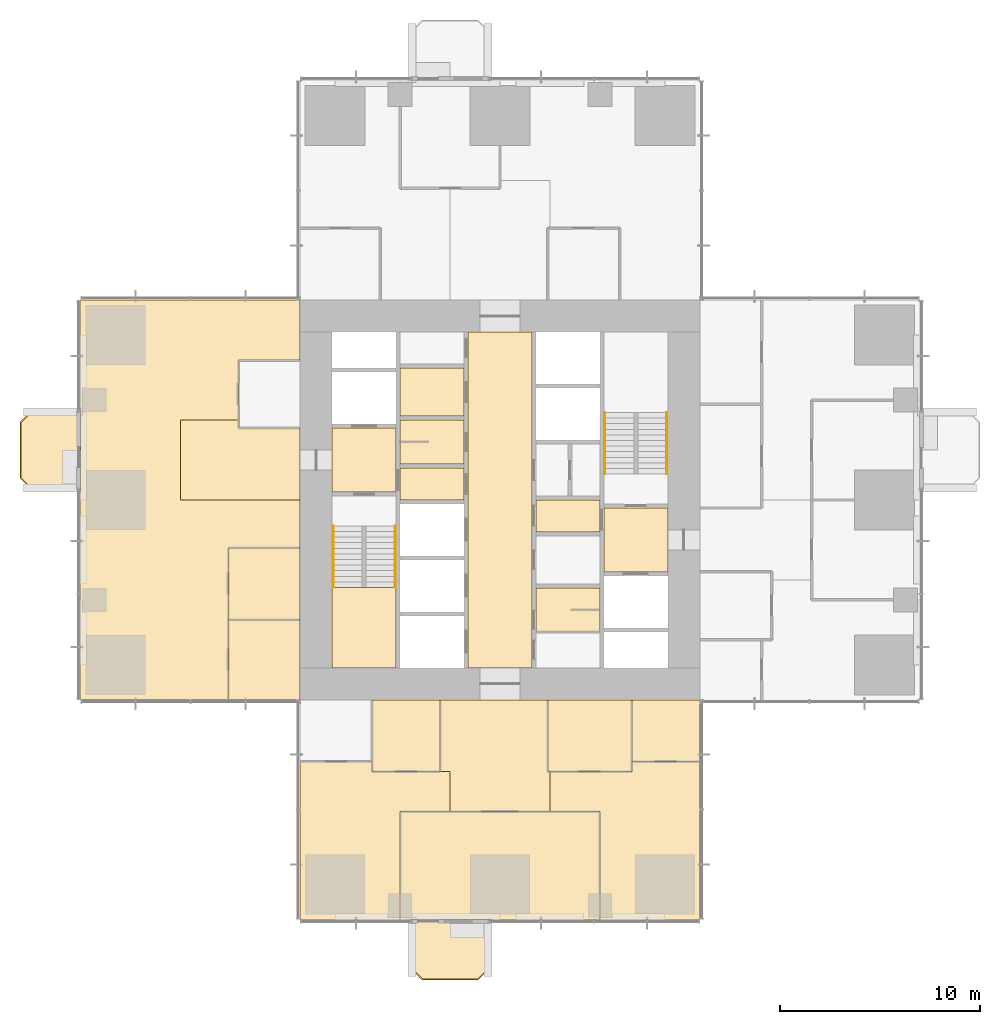
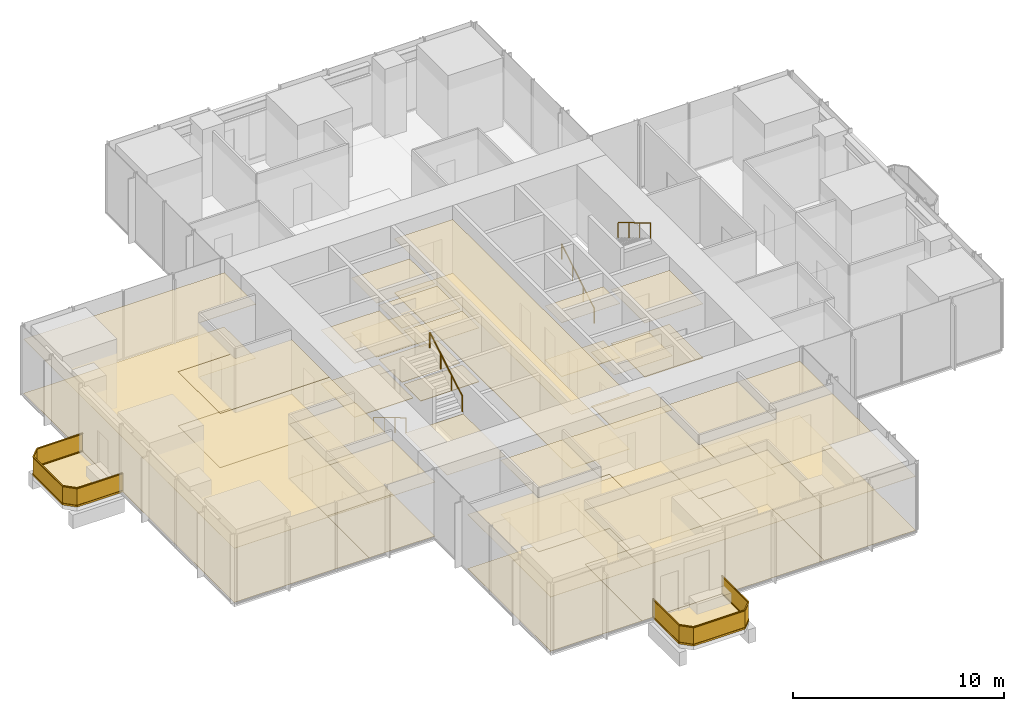
# One storey, part 11 of 13: 41 coverings, 6 railings.
"""IFC4 building model written with IfcOpenShell, lengths in metres."""

from ifc_helpers import new_model, si_unit, direction, frame, origin, origin_2d, place, context, subcontext, project, spatial, polyline, rectangle, circle, outline, extrude, material, layer, layer_set, type_object, element, save


model = new_model("IFC4")

# Units and contexts
model_context = context("Model", 3, precision=1e-05, world=origin(), true_north=direction((0.0, 1.0)))
body_context = subcontext(model_context, "Body", "Model", "MODEL_VIEW")
ifc_project = project(units=[si_unit("LENGTHUNIT", "METRE"), si_unit("AREAUNIT", "SQUARE_METRE"), si_unit("VOLUMEUNIT", "CUBIC_METRE"), si_unit("PLANEANGLEUNIT", "RADIAN"), si_unit("MASSUNIT", "GRAM", prefix="KILO")], contexts=[model_context])

# Site, building, storey
site_placement = place(None, origin())
site = spatial("IfcSite", under=ifc_project, at=site_placement, CompositionType="ELEMENT")
building_placement = place(site_placement, origin())
building = spatial("IfcBuilding", under=site, at=building_placement, Name="Svetlomir Tower", CompositionType="ELEMENT")
storey_placement = place(building_placement, frame((0.0, 0.0, 100.5)))
storey = spatial("IfcBuildingStorey", under=building, at=storey_placement, Name="L23", CompositionType="ELEMENT", Elevation=100.5)

# Railings
ifc_material_1 = material(Name="Bronze anodised aluminium and laminated glass", Category="aluminium")
railing_type_1 = type_object("IfcRailingType", Name="BALCONY GUARD GR1 1100", PredefinedType="GUARDRAIL", material=ifc_material_1)
railing_1_placement = place(storey_placement, frame((16.60009765625, 0.0, 0.0)))
element("IfcRailing", 1, at=railing_1_placement, inside=storey, type_object=railing_type_1, Name="Balcony guard S L23", PredefinedType="GUARDRAIL", context=body_context, shape_type="SweptSolid", body=[
    extrude(rectangle(XDim=0.06005859375, YDim=0.10009765625, at=origin_2d()), frame((0.0, 0.0, 0.050048828125), z_axis=(0.0, -1.0, 0.0), x_axis=(1.0, 0.0, 0.0)), (0.0, 0.0, 1.0), 2.5),
    extrude(rectangle(XDim=0.021484375, YDim=0.960205078125, at=origin_2d()), frame((0.0, 0.0, 0.580078125), z_axis=(0.0, -1.0, 0.0), x_axis=(1.0, 0.0, 0.0)), (0.0, 0.0, 1.0), 2.5),
    extrude(rectangle(XDim=0.06005859375, YDim=0.0400390625, at=origin_2d()), frame((0.0, 0.0, 1.080078125), z_axis=(0.0, -1.0, 0.0), x_axis=(1.0, 0.0, 0.0)), (0.0, 0.0, 1.0), 2.5),
    extrude(rectangle(XDim=0.06005859375, YDim=0.10009765625, at=origin_2d()), frame((0.0, -2.5, 0.050048828125), z_axis=(0.707106781187, -0.707106781187, 0.0), x_axis=(0.707106781187, 0.707106781187, 0.0)), (0.0, 0.0, 1.0), 0.70703125),
    extrude(rectangle(XDim=0.021484375, YDim=0.960205078125, at=origin_2d()), frame((0.0, -2.5, 0.580078125), z_axis=(0.707106781187, -0.707106781187, 0.0), x_axis=(0.707106781187, 0.707106781187, 0.0)), (0.0, 0.0, 1.0), 0.70703125),
    extrude(rectangle(XDim=0.06005859375, YDim=0.0400390625, at=origin_2d()), frame((0.0, -2.5, 1.080078125), z_axis=(0.707106781187, -0.707106781187, 0.0), x_axis=(0.707106781187, 0.707106781187, 0.0)), (0.0, 0.0, 1.0), 0.70703125),
    extrude(rectangle(XDim=0.06005859375, YDim=0.10009765625, at=origin_2d()), frame((0.5, -3.0, 0.050048828125), z_axis=(1.0, 0.0, 0.0), x_axis=(0.0, 1.0, 0.0)), (0.0, 0.0, 1.0), 2.7998046875),
    extrude(rectangle(XDim=0.021484375, YDim=0.960205078125, at=origin_2d()), frame((0.5, -3.0, 0.580078125), z_axis=(1.0, 0.0, 0.0), x_axis=(0.0, 1.0, 0.0)), (0.0, 0.0, 1.0), 2.7998046875),
    extrude(rectangle(XDim=0.06005859375, YDim=0.0400390625, at=origin_2d()), frame((0.5, -3.0, 1.080078125), z_axis=(1.0, 0.0, 0.0), x_axis=(0.0, 1.0, 0.0)), (0.0, 0.0, 1.0), 2.7998046875),
    extrude(rectangle(XDim=0.06005859375, YDim=0.10009765625, at=origin_2d()), frame((3.2998046875, -3.0, 0.050048828125), z_axis=(0.707106781187, 0.707106781187, 0.0), x_axis=(-0.707106781187, 0.707106781187, 0.0)), (0.0, 0.0, 1.0), 0.70703125),
    extrude(rectangle(XDim=0.021484375, YDim=0.960205078125, at=origin_2d()), frame((3.2998046875, -3.0, 0.580078125), z_axis=(0.707106781187, 0.707106781187, 0.0), x_axis=(-0.707106781187, 0.707106781187, 0.0)), (0.0, 0.0, 1.0), 0.70703125),
    extrude(rectangle(XDim=0.06005859375, YDim=0.0400390625, at=origin_2d()), frame((3.2998046875, -3.0, 1.080078125), z_axis=(0.707106781187, 0.707106781187, 0.0), x_axis=(-0.707106781187, 0.707106781187, 0.0)), (0.0, 0.0, 1.0), 0.70703125),
    extrude(rectangle(XDim=0.06005859375, YDim=0.10009765625, at=origin_2d()), frame((3.7998046875, -2.5, 0.050048828125), z_axis=(0.0, 1.0, 0.0), x_axis=(-1.0, 0.0, 0.0)), (0.0, 0.0, 1.0), 2.5),
    extrude(rectangle(XDim=0.021484375, YDim=0.960205078125, at=origin_2d()), frame((3.7998046875, -2.5, 0.580078125), z_axis=(0.0, 1.0, 0.0), x_axis=(-1.0, 0.0, 0.0)), (0.0, 0.0, 1.0), 2.5),
    extrude(rectangle(XDim=0.06005859375, YDim=0.0400390625, at=origin_2d()), frame((3.7998046875, -2.5, 1.080078125), z_axis=(0.0, 1.0, 0.0), x_axis=(-1.0, 0.0, 0.0)), (0.0, 0.0, 1.0), 2.5),
])
railing_2_placement = place(storey_placement, frame((0.0, 25.39990234375, 0.0)))
element("IfcRailing", 2, at=railing_2_placement, inside=storey, type_object=railing_type_1, Name="Balcony guard W L23", PredefinedType="GUARDRAIL", context=body_context, shape_type="SweptSolid", body=[
    extrude(rectangle(XDim=0.06005859375, YDim=0.10009765625, at=origin_2d()), frame((0.0, 0.0, 0.050048828125), z_axis=(-1.0, 0.0, 0.0), x_axis=(0.0, -1.0, 0.0)), (0.0, 0.0, 1.0), 2.5),
    extrude(rectangle(XDim=0.021484375, YDim=0.960205078125, at=origin_2d()), frame((0.0, 0.0, 0.580078125), z_axis=(-1.0, 0.0, 0.0), x_axis=(0.0, -1.0, 0.0)), (0.0, 0.0, 1.0), 2.5),
    extrude(rectangle(XDim=0.06005859375, YDim=0.0400390625, at=origin_2d()), frame((0.0, 0.0, 1.080078125), z_axis=(-1.0, 0.0, 0.0), x_axis=(0.0, -1.0, 0.0)), (0.0, 0.0, 1.0), 2.5),
    extrude(rectangle(XDim=0.06005859375, YDim=0.10009765625, at=origin_2d()), frame((-2.5, 0.0, 0.050048828125), z_axis=(-0.707106781187, -0.707106781187, 0.0), x_axis=(0.707106781187, -0.707106781187, 0.0)), (0.0, 0.0, 1.0), 0.70703125),
    extrude(rectangle(XDim=0.021484375, YDim=0.960205078125, at=origin_2d()), frame((-2.5, 0.0, 0.580078125), z_axis=(-0.707106781187, -0.707106781187, 0.0), x_axis=(0.707106781187, -0.707106781187, 0.0)), (0.0, 0.0, 1.0), 0.70703125),
    extrude(rectangle(XDim=0.06005859375, YDim=0.0400390625, at=origin_2d()), frame((-2.5, 0.0, 1.080078125), z_axis=(-0.707106781187, -0.707106781187, 0.0), x_axis=(0.707106781187, -0.707106781187, 0.0)), (0.0, 0.0, 1.0), 0.70703125),
    extrude(rectangle(XDim=0.06005859375, YDim=0.10009765625, at=origin_2d()), frame((-3.0, -0.5, 0.050048828125), z_axis=(0.0, -1.0, 0.0), x_axis=(1.0, 0.0, 0.0)), (0.0, 0.0, 1.0), 2.7998046875),
    extrude(rectangle(XDim=0.021484375, YDim=0.960205078125, at=origin_2d()), frame((-3.0, -0.5, 0.580078125), z_axis=(0.0, -1.0, 0.0), x_axis=(1.0, 0.0, 0.0)), (0.0, 0.0, 1.0), 2.7998046875),
    extrude(rectangle(XDim=0.06005859375, YDim=0.0400390625, at=origin_2d()), frame((-3.0, -0.5, 1.080078125), z_axis=(0.0, -1.0, 0.0), x_axis=(1.0, 0.0, 0.0)), (0.0, 0.0, 1.0), 2.7998046875),
    extrude(rectangle(XDim=0.06005859375, YDim=0.10009765625, at=origin_2d()), frame((-3.0, -3.2998046875, 0.050048828125), z_axis=(0.707106781187, -0.707106781187, 0.0), x_axis=(0.707106781187, 0.707106781187, 0.0)), (0.0, 0.0, 1.0), 0.70703125),
    extrude(rectangle(XDim=0.021484375, YDim=0.960205078125, at=origin_2d()), frame((-3.0, -3.2998046875, 0.580078125), z_axis=(0.707106781187, -0.707106781187, 0.0), x_axis=(0.707106781187, 0.707106781187, 0.0)), (0.0, 0.0, 1.0), 0.70703125),
    extrude(rectangle(XDim=0.06005859375, YDim=0.0400390625, at=origin_2d()), frame((-3.0, -3.2998046875, 1.080078125), z_axis=(0.707106781187, -0.707106781187, 0.0), x_axis=(0.707106781187, 0.707106781187, 0.0)), (0.0, 0.0, 1.0), 0.70703125),
    extrude(rectangle(XDim=0.06005859375, YDim=0.10009765625, at=origin_2d()), frame((-2.5, -3.7998046875, 0.050048828125), z_axis=(1.0, 0.0, 0.0), x_axis=(0.0, 1.0, 0.0)), (0.0, 0.0, 1.0), 2.5),
    extrude(rectangle(XDim=0.021484375, YDim=0.960205078125, at=origin_2d()), frame((-2.5, -3.7998046875, 0.580078125), z_axis=(1.0, 0.0, 0.0), x_axis=(0.0, 1.0, 0.0)), (0.0, 0.0, 1.0), 2.5),
    extrude(rectangle(XDim=0.06005859375, YDim=0.0400390625, at=origin_2d()), frame((-2.5, -3.7998046875, 1.080078125), z_axis=(1.0, 0.0, 0.0), x_axis=(0.0, 1.0, 0.0)), (0.0, 0.0, 1.0), 2.5),
])

# Coverings
ifc_material_2 = material(Name="Granite paving slabs on pedestals", Category="masonry")
ifc_layer_1 = layer(ifc_material_2, 0.0400390625)
ifc_layer_set_1 = layer_set([ifc_layer_1], Name="Granite paving slabs on pedestals")
covering_type_1 = type_object("IfcCoveringType", Name="BALCONY PAVING 40", PredefinedType="USERDEFINED", material=ifc_layer_set_1)
covering_1_placement = place(storey_placement, origin())
element("IfcCovering", 3, at=covering_1_placement, inside=storey, type_object=covering_type_1, Name="Balcony paving S L23", ObjectType="BALCONY PAVING", PredefinedType="USERDEFINED", context=body_context, shape_type="SweptSolid", body=[
    extrude(outline(polyline([(16.60009765625, -2.5), (17.10009765625, -3.0), (19.89990234375, -3.0), (20.39990234375, -2.5), (20.39990234375, 0.0), (16.60009765625, 0.0), (16.60009765625, -2.5)])), origin(), (0.0, 0.0, 1.0), 0.0400390625),
])
covering_2_placement = place(storey_placement, origin())
element("IfcCovering", 4, at=covering_2_placement, inside=storey, type_object=covering_type_1, Name="Balcony paving W L23", ObjectType="BALCONY PAVING", PredefinedType="USERDEFINED", context=body_context, shape_type="SweptSolid", body=[
    extrude(outline(polyline([(-2.5, 21.60009765625), (0.0, 21.60009765625), (0.0, 25.39990234375), (-2.5, 25.39990234375), (-3.0, 24.89990234375), (-3.0, 22.10009765625), (-2.5, 21.60009765625)])), origin(), (0.0, 0.0, 1.0), 0.0400390625),
])
ifc_material_3 = material(Name="Carpet tile", Category="textile")
ifc_layer_2 = layer(ifc_material_3, 0.010009765625)
ifc_layer_set_2 = layer_set([ifc_layer_2], Name="Carpet tile")
covering_type_2 = type_object("IfcCoveringType", Name="CARPET TILE FLOOR 10", PredefinedType="FLOORING", material=ifc_layer_set_2)
covering_3_placement = place(storey_placement, origin())
element("IfcCovering", 5, at=covering_3_placement, inside=storey, type_object=covering_type_2, Name="Floor finish L23-17", PredefinedType="FLOORING", context=body_context, shape_type="SweptSolid", body=[
    extrude(outline(polyline([(14.60009765625, 7.39990234375), (18.0, 7.39990234375), (18.0, 11.0), (14.60009765625, 11.0), (14.60009765625, 7.39990234375)])), origin(), (0.0, 0.0, 1.0), 0.010009765625),
])
covering_4_placement = place(storey_placement, origin())
element("IfcCovering", 6, at=covering_4_placement, inside=storey, type_object=covering_type_2, Name="Floor finish L23-18", PredefinedType="FLOORING", context=body_context, shape_type="SweptSolid", body=[
    extrude(outline(polyline([(23.39990234375, 7.39990234375), (27.60009765625, 7.39990234375), (27.60009765625, 11.0), (23.39990234375, 11.0), (23.39990234375, 7.39990234375)])), origin(), (0.0, 0.0, 1.0), 0.010009765625),
])
covering_5_placement = place(storey_placement, origin())
element("IfcCovering", 7, at=covering_5_placement, inside=storey, type_object=covering_type_2, Name="Floor finish L23-19", PredefinedType="FLOORING", context=body_context, shape_type="SweptSolid", body=[
    extrude(outline(polyline([(27.60009765625, 7.89990234375), (31.0, 7.89990234375), (31.0, 11.0), (27.60009765625, 11.0), (27.60009765625, 7.89990234375)])), origin(), (0.0, 0.0, 1.0), 0.010009765625),
])
covering_6_placement = place(storey_placement, origin())
element("IfcCovering", 8, at=covering_6_placement, inside=storey, type_object=covering_type_2, Name="Floor finish L23-20", PredefinedType="FLOORING", context=body_context, shape_type="SweptSolid", body=[
    extrude(outline(polyline([(16.0, 0.0), (26.0, 0.0), (26.0, 5.39990234375), (16.0, 5.39990234375), (16.0, 0.0)])), origin(), (0.0, 0.0, 1.0), 0.010009765625),
])
covering_7_placement = place(storey_placement, origin())
element("IfcCovering", 9, at=covering_7_placement, inside=storey, type_object=covering_type_2, Name="Floor finish L23-30", PredefinedType="FLOORING", context=body_context, shape_type="SweptSolid", body=[
    extrude(outline(polyline([(7.39990234375, 11.0), (11.0, 11.0), (11.0, 15.0), (7.39990234375, 15.0), (7.39990234375, 11.0)])), origin(), (0.0, 0.0, 1.0), 0.010009765625),
])
covering_8_placement = place(storey_placement, origin())
element("IfcCovering", 10, at=covering_8_placement, inside=storey, type_object=covering_type_2, Name="Floor finish L23-31", PredefinedType="FLOORING", context=body_context, shape_type="SweptSolid", body=[
    extrude(outline(polyline([(7.39990234375, 15.0), (11.0, 15.0), (11.0, 18.60009765625), (7.39990234375, 18.60009765625), (7.39990234375, 15.0)])), origin(), (0.0, 0.0, 1.0), 0.010009765625),
])
covering_9_placement = place(storey_placement, origin())
element("IfcCovering", 11, at=covering_9_placement, inside=storey, type_object=covering_type_2, Name="Floor finish L23-33", PredefinedType="FLOORING", context=body_context, shape_type="SweptSolid", body=[
    extrude(outline(polyline([(23.5, 7.39990234375), (23.5, 5.39990234375), (18.5, 5.39990234375), (18.5, 7.39990234375), (18.0, 7.39990234375), (18.0, 11.0), (23.39990234375, 11.0), (23.39990234375, 7.39990234375), (23.5, 7.39990234375)])), origin(), (0.0, 0.0, 1.0), 0.010009765625),
])
covering_10_placement = place(storey_placement, origin())
element("IfcCovering", 12, at=covering_10_placement, inside=storey, type_object=covering_type_2, Name="Floor finish L23-35", PredefinedType="FLOORING", context=body_context, shape_type="SweptSolid", body=[
    extrude(outline(polyline([(5.0, 21.0), (5.0, 25.0), (7.89990234375, 25.0), (7.89990234375, 24.60009765625), (11.0, 24.60009765625), (11.0, 21.0), (5.0, 21.0)])), origin(), (0.0, 0.0, 1.0), 0.010009765625),
])
covering_11_placement = place(storey_placement, origin())
element("IfcCovering", 13, at=covering_11_placement, inside=storey, type_object=covering_type_2, Name="Floor finish L23-37", PredefinedType="FLOORING", context=body_context, shape_type="SweptSolid", body=[
    extrude(outline(polyline([(14.60009765625, 7.89990234375), (14.60009765625, 7.39990234375), (18.5, 7.39990234375), (18.5, 5.39990234375), (16.0, 5.39990234375), (16.0, 0.0), (11.0, 0.0), (11.0, 7.89990234375), (14.60009765625, 7.89990234375)])), origin(), (0.0, 0.0, 1.0), 0.010009765625),
])
covering_12_placement = place(storey_placement, origin())
element("IfcCovering", 14, at=covering_12_placement, inside=storey, type_object=covering_type_2, Name="Floor finish L23-38", PredefinedType="FLOORING", context=body_context, shape_type="SweptSolid", body=[
    extrude(outline(polyline([(27.60009765625, 7.89990234375), (31.0, 7.89990234375), (31.0, 0.0), (26.0, 0.0), (26.0, 5.39990234375), (23.5, 5.39990234375), (23.5, 7.39990234375), (27.60009765625, 7.39990234375), (27.60009765625, 7.89990234375)])), origin(), (0.0, 0.0, 1.0), 0.010009765625),
])
covering_13_placement = place(storey_placement, origin())
element("IfcCovering", 15, at=covering_13_placement, inside=storey, type_object=covering_type_2, Name="Floor finish L23-43", PredefinedType="FLOORING", context=body_context, shape_type="SweptSolid", body=[
    extrude(outline(polyline([(11.0, 31.0), (11.0, 28.0), (7.89990234375, 28.0), (7.89990234375, 25.0), (5.0, 25.0), (5.0, 21.0), (11.0, 21.0), (11.0, 18.60009765625), (7.39990234375, 18.60009765625), (7.39990234375, 11.0), (0.0, 11.0), (0.0, 31.0), (11.0, 31.0)])), origin(), (0.0, 0.0, 1.0), 0.010009765625),
])
ifc_material_4 = material(Name="Ceramic floor tile", Category="ceramic")
ifc_layer_3 = layer(ifc_material_4, 0.014892578125)
ifc_layer_set_3 = layer_set([ifc_layer_3], Name="Ceramic floor tile")
covering_type_3 = type_object("IfcCoveringType", Name="CERAMIC TILE FLOOR 15", PredefinedType="FLOORING", material=ifc_layer_set_3)
covering_14_placement = place(storey_placement, origin())
element("IfcCovering", 16, at=covering_14_placement, inside=storey, type_object=covering_type_3, Name="Floor finish L23-04", PredefinedType="FLOORING", context=body_context, shape_type="SweptSolid", body=[
    extrude(outline(polyline([(16.0, 22.800048828125), (19.199951171875, 22.800048828125), (19.199951171875, 25.0), (16.0, 25.0), (16.0, 22.800048828125)])), origin(), (0.0, 0.0, 1.0), 0.014892578125),
])
covering_15_placement = place(storey_placement, origin())
element("IfcCovering", 17, at=covering_15_placement, inside=storey, type_object=covering_type_3, Name="Floor finish L23-05", PredefinedType="FLOORING", context=body_context, shape_type="SweptSolid", body=[
    extrude(outline(polyline([(16.0, 25.199951171875), (19.199951171875, 25.199951171875), (19.199951171875, 27.60009765625), (16.0, 27.60009765625), (16.0, 25.199951171875)])), origin(), (0.0, 0.0, 1.0), 0.014892578125),
])
covering_16_placement = place(storey_placement, origin())
element("IfcCovering", 18, at=covering_16_placement, inside=storey, type_object=covering_type_3, Name="Floor finish L23-09", PredefinedType="FLOORING", context=body_context, shape_type="SweptSolid", body=[
    extrude(outline(polyline([(22.800048828125, 14.39990234375), (26.0, 14.39990234375), (26.0, 16.60009765625), (22.800048828125, 16.60009765625), (22.800048828125, 14.39990234375)])), origin(), (0.0, 0.0, 1.0), 0.014892578125),
])

# Railings
ifc_material_5 = material(Name="Stainless steel", Category="steel")
railing_type_2 = type_object("IfcRailingType", Name="HANDRAIL HR1 900", PredefinedType="HANDRAIL", material=ifc_material_5)
railing_3_placement = place(storey_placement, frame((12.64990234375, 19.699951171875, 0.166748046875)))
element("IfcRailing", 19, at=railing_3_placement, inside=storey, type_object=railing_type_2, Name="Handrail S1 flight 1 L23", PredefinedType="HANDRAIL", context=body_context, shape_type="SweptSolid", body=[
    extrude(circle(Radius=0.02392578125, at=origin_2d()), frame((0.0, 0.0, 0.8759765625), z_axis=(0.0, -0.859290745958, 0.51148745235), x_axis=(1.0, 0.0, 0.0)), (0.0, 0.0, 1.0), 3.584228515625),
    extrude(circle(Radius=0.02099609375, at=origin_2d()), origin(), (0.0, 0.0, 1.0), 0.851806640625),
    extrude(circle(Radius=0.02099609375, at=origin_2d()), frame((0.0, -1.026611328125, 0.611083984375)), (0.0, 0.0, 1.0), 0.851806640625),
    extrude(circle(Radius=0.02099609375, at=origin_2d()), frame((0.0, -2.05322265625, 1.22216796875)), (0.0, 0.0, 1.0), 0.851806640625),
    extrude(circle(Radius=0.02099609375, at=origin_2d()), frame((0.0, -3.079833984375, 1.833251953125)), (0.0, 0.0, 1.0), 0.851806640625),
])
for number, where, name in (
    (20, (15.75, 16.6201171875, 2.166748046875), "Handrail S1 flight 2 L23"),
    (21, (26.25, 22.300048828125, 0.166748046875), "Handrail S2 flight 1 L23"),
):
    element("IfcRailing", number, at=place(storey_placement, frame(where)), inside=storey, type_object=railing_type_2, Name=name, PredefinedType="HANDRAIL", context=body_context, shape_type="SweptSolid", body=[
        extrude(circle(Radius=0.02392578125, at=origin_2d()), frame((0.0, 0.0, 0.8759765625), z_axis=(0.0, 0.859290745958, 0.51148745235), x_axis=(-1.0, 0.0, 0.0)), (0.0, 0.0, 1.0), 3.584228515625),
        extrude(circle(Radius=0.02099609375, at=origin_2d()), origin(), (0.0, 0.0, 1.0), 0.851806640625),
        extrude(circle(Radius=0.02099609375, at=origin_2d()), frame((0.0, 1.026611328125, 0.611083984375)), (0.0, 0.0, 1.0), 0.851806640625),
        extrude(circle(Radius=0.02099609375, at=origin_2d()), frame((0.0, 2.05322265625, 1.22216796875)), (0.0, 0.0, 1.0), 0.851806640625),
        extrude(circle(Radius=0.02099609375, at=origin_2d()), frame((0.0, 3.079833984375, 1.833251953125)), (0.0, 0.0, 1.0), 0.851806640625),
    ])
railing_4_placement = place(storey_placement, frame((29.35009765625, 25.3798828125, 2.166748046875)))
element("IfcRailing", 22, at=railing_4_placement, inside=storey, type_object=railing_type_2, Name="Handrail S2 flight 2 L23", PredefinedType="HANDRAIL", context=body_context, shape_type="SweptSolid", body=[
    extrude(circle(Radius=0.02392578125, at=origin_2d()), frame((0.0, 0.0, 0.8759765625), z_axis=(0.0, -0.859290745958, 0.51148745235), x_axis=(1.0, 0.0, 0.0)), (0.0, 0.0, 1.0), 3.584228515625),
    extrude(circle(Radius=0.02099609375, at=origin_2d()), origin(), (0.0, 0.0, 1.0), 0.851806640625),
    extrude(circle(Radius=0.02099609375, at=origin_2d()), frame((0.0, -1.026611328125, 0.611083984375)), (0.0, 0.0, 1.0), 0.851806640625),
    extrude(circle(Radius=0.02099609375, at=origin_2d()), frame((0.0, -2.05322265625, 1.22216796875)), (0.0, 0.0, 1.0), 0.851806640625),
    extrude(circle(Radius=0.02099609375, at=origin_2d()), frame((0.0, -3.079833984375, 1.833251953125)), (0.0, 0.0, 1.0), 0.851806640625),
])

# Coverings
ifc_material_6 = material(Name="Moisture resistant plasterboard ceiling", Category="gypsum")
ifc_layer_4 = layer(ifc_material_6, 0.012451171875)
ifc_layer_set_4 = layer_set([ifc_layer_4], Name="Moisture resistant plasterboard ceiling")
covering_type_4 = type_object("IfcCoveringType", Name="MOISTURE RESISTANT CEILING 12.5", PredefinedType="CEILING", material=ifc_layer_set_4)
covering_17_placement = place(storey_placement, frame((0.0, 0.0, 3.137451171875)))
element("IfcCovering", 23, at=covering_17_placement, inside=storey, type_object=covering_type_4, Name="Ceiling L23-04", PredefinedType="CEILING", context=body_context, shape_type="SweptSolid", body=[
    extrude(outline(polyline([(16.0, 22.800048828125), (19.199951171875, 22.800048828125), (19.199951171875, 25.0), (16.0, 25.0), (16.0, 22.800048828125)])), origin(), (0.0, 0.0, 1.0), 0.012451171875),
])
covering_18_placement = place(storey_placement, frame((0.0, 0.0, 3.137451171875)))
element("IfcCovering", 24, at=covering_18_placement, inside=storey, type_object=covering_type_4, Name="Ceiling L23-05", PredefinedType="CEILING", context=body_context, shape_type="SweptSolid", body=[
    extrude(outline(polyline([(16.0, 25.199951171875), (19.199951171875, 25.199951171875), (19.199951171875, 27.60009765625), (16.0, 27.60009765625), (16.0, 25.199951171875)])), origin(), (0.0, 0.0, 1.0), 0.012451171875),
])
covering_19_placement = place(storey_placement, frame((0.0, 0.0, 3.137451171875)))
element("IfcCovering", 25, at=covering_19_placement, inside=storey, type_object=covering_type_4, Name="Ceiling L23-09", PredefinedType="CEILING", context=body_context, shape_type="SweptSolid", body=[
    extrude(outline(polyline([(22.800048828125, 14.39990234375), (26.0, 14.39990234375), (26.0, 16.60009765625), (22.800048828125, 16.60009765625), (22.800048828125, 14.39990234375)])), origin(), (0.0, 0.0, 1.0), 0.012451171875),
])
ifc_material_7 = material(Name="Gypsum plasterboard ceiling", Category="gypsum")
ifc_layer_5 = layer(ifc_material_7, 0.014892578125)
ifc_layer_set_5 = layer_set([ifc_layer_5], Name="Gypsum plasterboard ceiling")
covering_type_5 = type_object("IfcCoveringType", Name="PLASTERBOARD CEILING 15", PredefinedType="CEILING", material=ifc_layer_set_5)
covering_20_placement = place(storey_placement, frame((0.0, 0.0, 3.135009765625)))
element("IfcCovering", 26, at=covering_20_placement, inside=storey, type_object=covering_type_5, Name="Ceiling L23-02", PredefinedType="CEILING", context=body_context, shape_type="SweptSolid", body=[
    extrude(outline(polyline([(12.60009765625, 21.39990234375), (15.800048828125, 21.39990234375), (15.800048828125, 24.60009765625), (12.60009765625, 24.60009765625), (12.60009765625, 21.39990234375)])), origin(), (0.0, 0.0, 1.0), 0.014892578125),
])
covering_21_placement = place(storey_placement, frame((0.0, 0.0, 3.135009765625)))
element("IfcCovering", 27, at=covering_21_placement, inside=storey, type_object=covering_type_5, Name="Ceiling L23-03", PredefinedType="CEILING", context=body_context, shape_type="SweptSolid", body=[
    extrude(outline(polyline([(16.0, 21.0), (19.199951171875, 21.0), (19.199951171875, 22.60009765625), (16.0, 22.60009765625), (16.0, 21.0)])), origin(), (0.0, 0.0, 1.0), 0.014892578125),
])
covering_22_placement = place(storey_placement, frame((0.0, 0.0, 3.135009765625)))
element("IfcCovering", 28, at=covering_22_placement, inside=storey, type_object=covering_type_5, Name="Ceiling L23-07", PredefinedType="CEILING", context=body_context, shape_type="SweptSolid", body=[
    extrude(outline(polyline([(19.39990234375, 12.60009765625), (22.60009765625, 12.60009765625), (22.60009765625, 29.39990234375), (19.39990234375, 29.39990234375), (19.39990234375, 12.60009765625)])), origin(), (0.0, 0.0, 1.0), 0.014892578125),
])
covering_23_placement = place(storey_placement, frame((0.0, 0.0, 3.135009765625)))
element("IfcCovering", 29, at=covering_23_placement, inside=storey, type_object=covering_type_5, Name="Ceiling L23-11", PredefinedType="CEILING", context=body_context, shape_type="SweptSolid", body=[
    extrude(outline(polyline([(22.800048828125, 19.39990234375), (26.0, 19.39990234375), (26.0, 21.0), (22.800048828125, 21.0), (22.800048828125, 19.39990234375)])), origin(), (0.0, 0.0, 1.0), 0.014892578125),
])
covering_24_placement = place(storey_placement, frame((0.0, 0.0, 3.135009765625)))
element("IfcCovering", 30, at=covering_24_placement, inside=storey, type_object=covering_type_5, Name="Ceiling L23-12", PredefinedType="CEILING", context=body_context, shape_type="SweptSolid", body=[
    extrude(outline(polyline([(26.199951171875, 17.39990234375), (29.39990234375, 17.39990234375), (29.39990234375, 20.60009765625), (26.199951171875, 20.60009765625), (26.199951171875, 17.39990234375)])), origin(), (0.0, 0.0, 1.0), 0.014892578125),
])
ifc_material_8 = material(Name="Studded rubber floor finish", Category="rubber")
ifc_layer_6 = layer(ifc_material_8, 0.006103515625)
ifc_layer_set_6 = layer_set([ifc_layer_6], Name="Studded rubber floor finish")
covering_type_6 = type_object("IfcCoveringType", Name="RUBBER LANDING FINISH 6", PredefinedType="FLOORING", material=ifc_layer_set_6)
covering_25_placement = place(storey_placement, frame((0.0, 0.0, 2.0)))
element("IfcCovering", 31, at=covering_25_placement, inside=storey, type_object=covering_type_6, Name="Stair S1 landing finish L23", PredefinedType="FLOORING", context=body_context, shape_type="SweptSolid", body=[
    extrude(outline(polyline([(12.60009765625, 12.60009765625), (15.800048828125, 12.60009765625), (15.800048828125, 16.6201171875), (12.60009765625, 16.6201171875), (12.60009765625, 12.60009765625)])), origin(), (0.0, 0.0, 1.0), 0.006103515625),
])
ifc_material_9 = material(Name="Mineral fibre ceiling tile", Category="mineral")
ifc_layer_7 = layer(ifc_material_9, 0.02001953125)
ifc_layer_set_7 = layer_set([ifc_layer_7], Name="Mineral fibre ceiling tile")
covering_type_7 = type_object("IfcCoveringType", Name="SUSPENDED CEILING 20", PredefinedType="CEILING", material=ifc_layer_set_7)
covering_26_placement = place(storey_placement, frame((0.0, 0.0, 3.1298828125)))
element("IfcCovering", 32, at=covering_26_placement, inside=storey, type_object=covering_type_7, Name="Ceiling L23-17", PredefinedType="CEILING", context=body_context, shape_type="SweptSolid", body=[
    extrude(outline(polyline([(14.60009765625, 7.39990234375), (18.0, 7.39990234375), (18.0, 11.0), (14.60009765625, 11.0), (14.60009765625, 7.39990234375)])), origin(), (0.0, 0.0, 1.0), 0.02001953125),
])
covering_27_placement = place(storey_placement, frame((0.0, 0.0, 3.1298828125)))
element("IfcCovering", 33, at=covering_27_placement, inside=storey, type_object=covering_type_7, Name="Ceiling L23-18", PredefinedType="CEILING", context=body_context, shape_type="SweptSolid", body=[
    extrude(outline(polyline([(23.39990234375, 7.39990234375), (27.60009765625, 7.39990234375), (27.60009765625, 11.0), (23.39990234375, 11.0), (23.39990234375, 7.39990234375)])), origin(), (0.0, 0.0, 1.0), 0.02001953125),
])
covering_28_placement = place(storey_placement, frame((0.0, 0.0, 3.1298828125)))
element("IfcCovering", 34, at=covering_28_placement, inside=storey, type_object=covering_type_7, Name="Ceiling L23-19", PredefinedType="CEILING", context=body_context, shape_type="SweptSolid", body=[
    extrude(outline(polyline([(27.60009765625, 7.89990234375), (31.0, 7.89990234375), (31.0, 11.0), (27.60009765625, 11.0), (27.60009765625, 7.89990234375)])), origin(), (0.0, 0.0, 1.0), 0.02001953125),
])
covering_29_placement = place(storey_placement, frame((0.0, 0.0, 3.1298828125)))
element("IfcCovering", 35, at=covering_29_placement, inside=storey, type_object=covering_type_7, Name="Ceiling L23-20", PredefinedType="CEILING", context=body_context, shape_type="SweptSolid", body=[
    extrude(outline(polyline([(16.0, 0.0), (26.0, 0.0), (26.0, 5.39990234375), (16.0, 5.39990234375), (16.0, 0.0)])), origin(), (0.0, 0.0, 1.0), 0.02001953125),
])
covering_30_placement = place(storey_placement, frame((0.0, 0.0, 3.1298828125)))
element("IfcCovering", 36, at=covering_30_placement, inside=storey, type_object=covering_type_7, Name="Ceiling L23-30", PredefinedType="CEILING", context=body_context, shape_type="SweptSolid", body=[
    extrude(outline(polyline([(7.39990234375, 11.0), (11.0, 11.0), (11.0, 15.0), (7.39990234375, 15.0), (7.39990234375, 11.0)])), origin(), (0.0, 0.0, 1.0), 0.02001953125),
])
covering_31_placement = place(storey_placement, frame((0.0, 0.0, 3.1298828125)))
element("IfcCovering", 37, at=covering_31_placement, inside=storey, type_object=covering_type_7, Name="Ceiling L23-31", PredefinedType="CEILING", context=body_context, shape_type="SweptSolid", body=[
    extrude(outline(polyline([(7.39990234375, 15.0), (11.0, 15.0), (11.0, 18.60009765625), (7.39990234375, 18.60009765625), (7.39990234375, 15.0)])), origin(), (0.0, 0.0, 1.0), 0.02001953125),
])
covering_32_placement = place(storey_placement, frame((0.0, 0.0, 3.1298828125)))
element("IfcCovering", 38, at=covering_32_placement, inside=storey, type_object=covering_type_7, Name="Ceiling L23-33", PredefinedType="CEILING", context=body_context, shape_type="SweptSolid", body=[
    extrude(outline(polyline([(23.5, 7.39990234375), (23.5, 5.39990234375), (18.5, 5.39990234375), (18.5, 7.39990234375), (18.0, 7.39990234375), (18.0, 11.0), (23.39990234375, 11.0), (23.39990234375, 7.39990234375), (23.5, 7.39990234375)])), origin(), (0.0, 0.0, 1.0), 0.02001953125),
])
covering_33_placement = place(storey_placement, frame((0.0, 0.0, 3.1298828125)))
element("IfcCovering", 39, at=covering_33_placement, inside=storey, type_object=covering_type_7, Name="Ceiling L23-35", PredefinedType="CEILING", context=body_context, shape_type="SweptSolid", body=[
    extrude(outline(polyline([(5.0, 21.0), (5.0, 25.0), (7.89990234375, 25.0), (7.89990234375, 24.60009765625), (11.0, 24.60009765625), (11.0, 21.0), (5.0, 21.0)])), origin(), (0.0, 0.0, 1.0), 0.02001953125),
])
covering_34_placement = place(storey_placement, frame((0.0, 0.0, 3.1298828125)))
element("IfcCovering", 40, at=covering_34_placement, inside=storey, type_object=covering_type_7, Name="Ceiling L23-37", PredefinedType="CEILING", context=body_context, shape_type="SweptSolid", body=[
    extrude(outline(polyline([(14.60009765625, 7.89990234375), (14.60009765625, 7.39990234375), (18.5, 7.39990234375), (18.5, 5.39990234375), (16.0, 5.39990234375), (16.0, 0.0), (11.0, 0.0), (11.0, 7.89990234375), (14.60009765625, 7.89990234375)])), origin(), (0.0, 0.0, 1.0), 0.02001953125),
])
covering_35_placement = place(storey_placement, frame((0.0, 0.0, 3.1298828125)))
element("IfcCovering", 41, at=covering_35_placement, inside=storey, type_object=covering_type_7, Name="Ceiling L23-38", PredefinedType="CEILING", context=body_context, shape_type="SweptSolid", body=[
    extrude(outline(polyline([(27.60009765625, 7.89990234375), (31.0, 7.89990234375), (31.0, 0.0), (26.0, 0.0), (26.0, 5.39990234375), (23.5, 5.39990234375), (23.5, 7.39990234375), (27.60009765625, 7.39990234375), (27.60009765625, 7.89990234375)])), origin(), (0.0, 0.0, 1.0), 0.02001953125),
])
covering_36_placement = place(storey_placement, frame((0.0, 0.0, 3.1298828125)))
element("IfcCovering", 42, at=covering_36_placement, inside=storey, type_object=covering_type_7, Name="Ceiling L23-43", PredefinedType="CEILING", context=body_context, shape_type="SweptSolid", body=[
    extrude(outline(polyline([(11.0, 31.0), (11.0, 28.0), (7.89990234375, 28.0), (7.89990234375, 25.0), (5.0, 25.0), (5.0, 21.0), (11.0, 21.0), (11.0, 18.60009765625), (7.39990234375, 18.60009765625), (7.39990234375, 11.0), (0.0, 11.0), (0.0, 31.0), (11.0, 31.0)])), origin(), (0.0, 0.0, 1.0), 0.02001953125),
])
ifc_material_10 = material(Name="Bronze-aggregate terrazzo", Category="stone")
ifc_layer_8 = layer(ifc_material_10, 0.030029296875)
ifc_layer_set_8 = layer_set([ifc_layer_8], Name="Bronze-aggregate terrazzo")
covering_type_8 = type_object("IfcCoveringType", Name="TERRAZZO FLOOR 30", PredefinedType="FLOORING", material=ifc_layer_set_8)
covering_37_placement = place(storey_placement, origin())
element("IfcCovering", 43, at=covering_37_placement, inside=storey, type_object=covering_type_8, Name="Floor finish L23-02", PredefinedType="FLOORING", context=body_context, shape_type="SweptSolid", body=[
    extrude(outline(polyline([(12.60009765625, 21.39990234375), (15.800048828125, 21.39990234375), (15.800048828125, 24.60009765625), (12.60009765625, 24.60009765625), (12.60009765625, 21.39990234375)])), origin(), (0.0, 0.0, 1.0), 0.030029296875),
])
covering_38_placement = place(storey_placement, origin())
element("IfcCovering", 44, at=covering_38_placement, inside=storey, type_object=covering_type_8, Name="Floor finish L23-03", PredefinedType="FLOORING", context=body_context, shape_type="SweptSolid", body=[
    extrude(outline(polyline([(16.0, 21.0), (19.199951171875, 21.0), (19.199951171875, 22.60009765625), (16.0, 22.60009765625), (16.0, 21.0)])), origin(), (0.0, 0.0, 1.0), 0.030029296875),
])
covering_39_placement = place(storey_placement, origin())
element("IfcCovering", 45, at=covering_39_placement, inside=storey, type_object=covering_type_8, Name="Floor finish L23-07", PredefinedType="FLOORING", context=body_context, shape_type="SweptSolid", body=[
    extrude(outline(polyline([(19.39990234375, 12.60009765625), (22.60009765625, 12.60009765625), (22.60009765625, 29.39990234375), (19.39990234375, 29.39990234375), (19.39990234375, 12.60009765625)])), origin(), (0.0, 0.0, 1.0), 0.030029296875),
])
covering_40_placement = place(storey_placement, origin())
element("IfcCovering", 46, at=covering_40_placement, inside=storey, type_object=covering_type_8, Name="Floor finish L23-11", PredefinedType="FLOORING", context=body_context, shape_type="SweptSolid", body=[
    extrude(outline(polyline([(22.800048828125, 19.39990234375), (26.0, 19.39990234375), (26.0, 21.0), (22.800048828125, 21.0), (22.800048828125, 19.39990234375)])), origin(), (0.0, 0.0, 1.0), 0.030029296875),
])
covering_41_placement = place(storey_placement, origin())
element("IfcCovering", 47, at=covering_41_placement, inside=storey, type_object=covering_type_8, Name="Floor finish L23-12", PredefinedType="FLOORING", context=body_context, shape_type="SweptSolid", body=[
    extrude(outline(polyline([(26.199951171875, 17.39990234375), (29.39990234375, 17.39990234375), (29.39990234375, 20.60009765625), (26.199951171875, 20.60009765625), (26.199951171875, 17.39990234375)])), origin(), (0.0, 0.0, 1.0), 0.030029296875),
])

save(model, "model.ifc")
